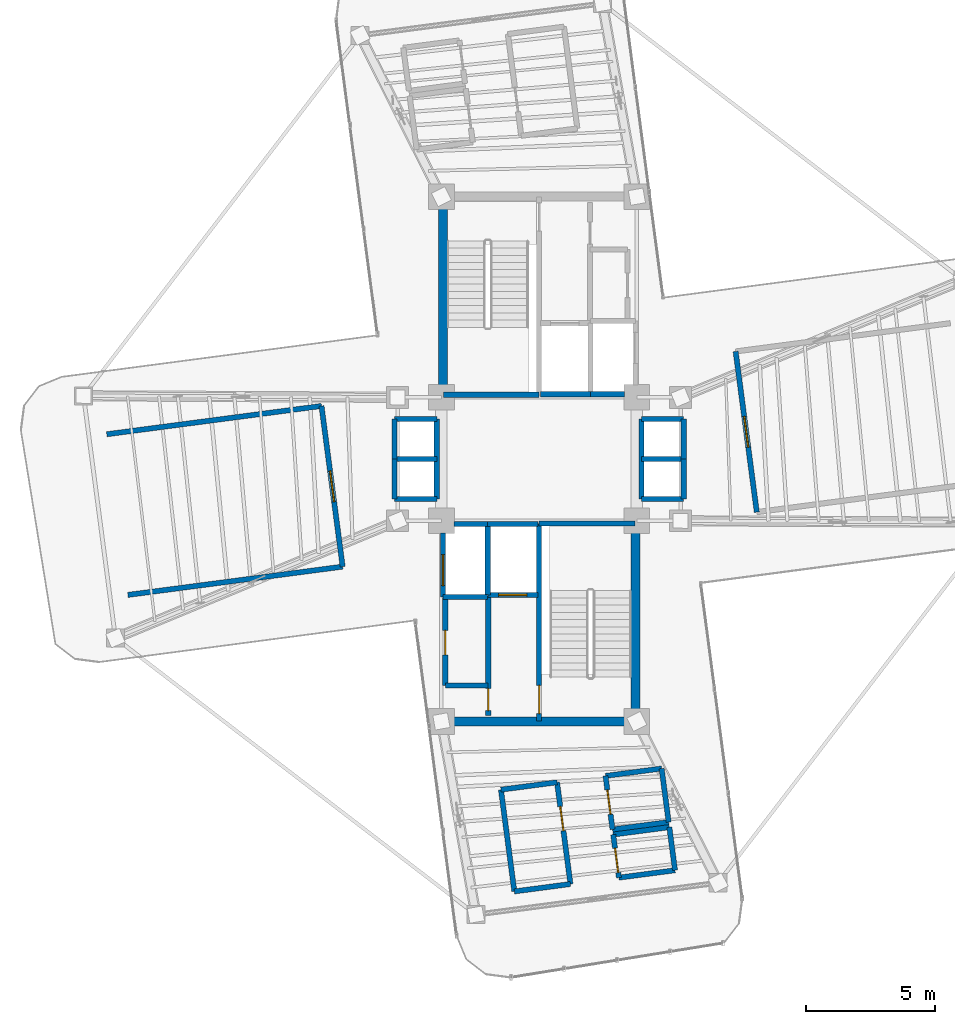
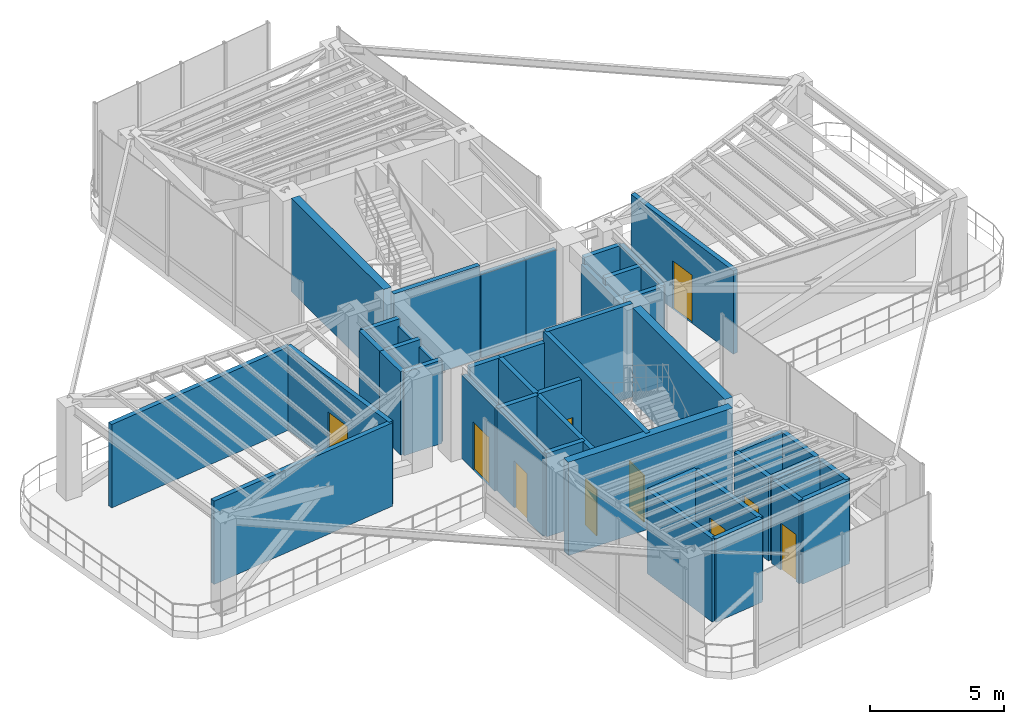
# One storey, part 14 of 17: 45 walls, 10 doors, 10 openings.
"""IFC4 building model written with IfcOpenShell, lengths in metres."""

from ifc_helpers import new_model, si_unit, direction, frame, frame_2d, origin, origin_2d, place, context, subcontext, project, spatial, rectangle, extrude, source, transform, mapped, material, layer, layer_set, type_object, element, fill, save


model = new_model("IFC4")

# Units and contexts
model_context = context("Model", 3, precision=1e-05, world=origin(), true_north=direction((0.0, 1.0)))
body_context = subcontext(model_context, "Body", "Model", "MODEL_VIEW")
ifc_project = project(units=[si_unit("LENGTHUNIT", "METRE"), si_unit("AREAUNIT", "SQUARE_METRE"), si_unit("VOLUMEUNIT", "CUBIC_METRE"), si_unit("PLANEANGLEUNIT", "RADIAN"), si_unit("MASSUNIT", "GRAM", prefix="KILO")], contexts=[model_context])

# Site, building, storey
site_placement = place(None, origin())
site = spatial("IfcSite", under=ifc_project, at=site_placement, CompositionType="ELEMENT")
building_placement = place(site_placement, origin())
building = spatial("IfcBuilding", under=site, at=building_placement, Name="Sahyath Konkavel Grand Hotel", CompositionType="ELEMENT")
storey_placement = place(building_placement, frame((0.0, 0.0, 264.60009765625)))
storey = spatial("IfcBuildingStorey", under=building, at=storey_placement, Name="L74", CompositionType="ELEMENT", Elevation=264.60009765625)

# Walls
ifc_material_1 = material(Name="Concrete C40/50", Category="concrete")
ifc_layer_1 = layer(ifc_material_1, 0.35009765625)
ifc_layer_set_1 = layer_set([ifc_layer_1], Name="Concrete C40/50")
wall_type_1 = type_object("IfcWallType", Name="CWALL-350", PredefinedType="SHEAR", material=ifc_layer_set_1)
wall_1_placement = place(storey_placement, frame((-3.739990234375, 2.85009765625, 0.0), z_axis=(0.0, 0.0, 1.0), x_axis=(0.0, 1.0, 0.0)))
element("IfcWall", 1, at=wall_1_placement, inside=storey, type_object=wall_type_1, Name="L74 North Core Shear Wall W", PredefinedType="SHEAR", context=body_context, shape_type="SweptSolid", body=[
    extrude(rectangle(XDim=6.89990234375, YDim=0.35009765625, at=frame_2d((3.449951171875, 0.0))), origin(), (0.0, 0.0, 1.0), 4.260009765625),
])
wall_2_placement = place(storey_placement, frame((-3.550048828125, -10.199951171875, 0.0), z_axis=(0.0, 0.0, 1.0), x_axis=(1.0, 0.0, 0.0)))
element("IfcWall", 2, at=wall_2_placement, inside=storey, type_object=wall_type_1, Name="L74 South Core Shear Wall S", PredefinedType="SHEAR", context=body_context, shape_type="SweptSolid", body=[
    extrude(rectangle(XDim=7.10009765625, YDim=0.35009765625, at=frame_2d((3.550048828125, 0.0))), origin(), (0.0, 0.0, 1.0), 4.260009765625),
])
wall_3_placement = place(storey_placement, frame((3.739990234375, -9.75, 0.0), z_axis=(0.0, 0.0, 1.0), x_axis=(0.0, 1.0, 0.0)))
element("IfcWall", 3, at=wall_3_placement, inside=storey, type_object=wall_type_1, Name="L74 South Core Shear Wall E", PredefinedType="SHEAR", context=body_context, shape_type="SweptSolid", body=[
    extrude(rectangle(XDim=6.89990234375, YDim=0.35009765625, at=frame_2d((3.449951171875, 0.0))), origin(), (0.0, 0.0, 1.0), 4.260009765625),
])
ifc_layer_2 = layer(ifc_material_1, 0.199951171875)
ifc_layer_set_2 = layer_set([ifc_layer_2], Name="Concrete C40/50")
wall_type_2 = type_object("IfcWallType", Name="WLL-CORE-200", PredefinedType="SOLIDWALL", material=ifc_layer_set_2)
wall_4_placement = place(storey_placement, frame((-3.719970703125, 2.5, 0.0), z_axis=(0.0, 0.0, 1.0), x_axis=(1.0, 0.0, 0.0)))
element("IfcWall", 4, at=wall_4_placement, inside=storey, type_object=wall_type_2, Name="L74 Stair ST-1 Shaft Wall S", PredefinedType="SOLIDWALL", context=body_context, shape_type="SweptSolid", body=[
    extrude(rectangle(XDim=3.719970703125, YDim=0.199951171875, at=frame_2d((1.85986328125, 0.0))), origin(), (0.0, 0.0, 1.0), 4.260009765625),
])

# Wall, opening, door
wall_5_placement = place(storey_placement, frame((0.0, -10.179931640625, 0.0), z_axis=(0.0, 0.0, 1.0), x_axis=(0.0, 1.0, 0.0)))
wall_5 = element("IfcWall", 5, at=wall_5_placement, inside=storey, type_object=wall_type_2, Name="L74 Stair ST-2 Shaft Wall W", PredefinedType="SOLIDWALL", context=body_context, shape_type="SweptSolid", body=[
    extrude(rectangle(XDim=7.679931640625, YDim=0.199951171875, at=frame_2d((3.83984375, 0.0))), origin(), (0.0, 0.0, 1.0), 4.260009765625),
])
opening_1_placement = place(wall_5_placement, frame((0.280029296875, 0.0, 0.0)))
opening_1 = element("IfcOpeningElement", 6, at=opening_1_placement, cuts=wall_5, Name="Opening D-F12B", PredefinedType="OPENING", context=body_context, shape_type="SweptSolid", body=[
    extrude(rectangle(XDim=1.10009765625, YDim=2.14990234375, at=frame_2d((0.550048828125, 1.074951171875))), frame((0.0, 0.10986328125, 0.0), z_axis=(0.0, -1.0, 0.0), x_axis=(1.0, 0.0, 0.0)), (0.0, 0.0, 1.0), 0.219970703125),
])
ifc_material_2 = material(Name="Steel E350 Smokeproof Fire Door", Category="steel")
door_type_1 = type_object("IfcDoorType", Name="DR-FD120-1100", OperationType="NOTDEFINED", PredefinedType="DOOR", material=ifc_material_2)
shared_shape_1 = source(origin(), body_context, "Body", "SweptSolid", [
    extrude(rectangle(XDim=1.10009765625, YDim=0.050048828125, at=origin_2d()), origin(), (0.0, 0.0, 1.0), 2.14990234375),
])
door_1_placement = place(opening_1_placement, frame((0.550048828125, 0.0, 0.0)))
door_1 = element("IfcDoor", 7, at=door_1_placement, inside=storey, type_object=door_type_1, Name="L74 Stair ST-2 Fire Door", OperationType="SINGLE_SWING_LEFT", OverallHeight=2.14990234375, OverallWidth=1.10009765625, PredefinedType="DOOR", context=body_context, shape_type="MappedRepresentation", body=[
    mapped(shared_shape_1, transform((0.0, 0.0, 0.0), scale=1.0)),
])
fill(opening_1, door_1)

# Wall
wall_6_placement = place(storey_placement, frame((0.0, -2.5, 0.0), z_axis=(0.0, 0.0, 1.0), x_axis=(1.0, 0.0, 0.0)))
element("IfcWall", 8, at=wall_6_placement, inside=storey, type_object=wall_type_2, Name="L74 Stair ST-2 Shaft Wall N", PredefinedType="SOLIDWALL", context=body_context, shape_type="SweptSolid", body=[
    extrude(rectangle(XDim=3.719970703125, YDim=0.199951171875, at=frame_2d((1.85986328125, 0.0))), origin(), (0.0, 0.0, 1.0), 4.260009765625),
])

# Wall, opening, door
wall_7_placement = place(storey_placement, frame((-1.97998046875, -9.97998046875, 0.0), z_axis=(0.0, 0.0, 1.0), x_axis=(0.0, 1.0, 0.0)))
wall_7 = element("IfcWall", 9, at=wall_7_placement, inside=storey, type_object=wall_type_2, Name="L74 South Firefighting Lobby Wall W", PredefinedType="SOLIDWALL", context=body_context, shape_type="SweptSolid", body=[
    extrude(rectangle(XDim=4.659912109375, YDim=0.199951171875, at=frame_2d((2.330078125, 0.0))), origin(), (0.0, 0.0, 1.0), 3.809814453125),
])
opening_2_placement = place(wall_7_placement, frame((0.199951171875, 0.0, 0.0)))
opening_2 = element("IfcOpeningElement", 10, at=opening_2_placement, cuts=wall_7, Name="Opening D-F12D", PredefinedType="OPENING", context=body_context, shape_type="SweptSolid", body=[
    extrude(rectangle(XDim=0.85009765625, YDim=2.10009765625, at=frame_2d((0.425048828125, 1.050048828125))), frame((0.0, 0.10986328125, 0.0), z_axis=(0.0, -1.0, 0.0), x_axis=(1.0, 0.0, 0.0)), (0.0, 0.0, 1.0), 0.219970703125),
])
ifc_material_3 = material(Name="Steel E350 Core Fire Door", Category="steel")
door_type_2 = type_object("IfcDoorType", Name="DR-FD120-850", OperationType="NOTDEFINED", PredefinedType="DOOR", material=ifc_material_3)
shared_shape_2 = source(origin(), body_context, "Body", "SweptSolid", [
    extrude(rectangle(XDim=0.85009765625, YDim=0.050048828125, at=origin_2d()), origin(), (0.0, 0.0, 1.0), 2.10009765625),
])
door_2_placement = place(opening_2_placement, frame((0.425048828125, 0.0, 0.0)))
door_2 = element("IfcDoor", 11, at=door_2_placement, inside=storey, type_object=door_type_2, Name="L74 South Firefighting Lobby Door", OperationType="SINGLE_SWING_LEFT", OverallHeight=2.10009765625, OverallWidth=0.85009765625, PredefinedType="DOOR", context=body_context, shape_type="MappedRepresentation", body=[
    mapped(shared_shape_2, transform((0.0, 0.0, 0.0), scale=1.0)),
])
fill(opening_2, door_2)

# Walls
wall_8_placement = place(storey_placement, frame((0.050048828125, 2.52001953125, 0.0), z_axis=(0.0, 0.0, 1.0), x_axis=(1.0, 0.0, 0.0)))
element("IfcWall", 12, at=wall_8_placement, inside=storey, type_object=wall_type_2, Name="L74 Partition SH-FFL1-S", PredefinedType="SOLIDWALL", context=body_context, shape_type="SweptSolid", body=[
    extrude(rectangle(XDim=1.949951171875, YDim=0.199951171875, at=frame_2d((0.97509765625, 0.0))), origin(), (0.0, 0.0, 1.0), 3.809814453125),
])
wall_9_placement = place(storey_placement, frame((-2.0, -5.280029296875, 0.0), z_axis=(0.0, 0.0, 1.0), x_axis=(0.0, 1.0, 0.0)))
element("IfcWall", 13, at=wall_9_placement, inside=storey, type_object=wall_type_2, Name="L74 Partition SH-FFL2-W", PredefinedType="SOLIDWALL", context=body_context, shape_type="SweptSolid", body=[
    extrude(rectangle(XDim=2.780029296875, YDim=0.199951171875, at=frame_2d((1.39013671875, 0.0))), origin(), (0.0, 0.0, 1.0), 3.809814453125),
])
wall_10_placement = place(storey_placement, frame((-2.0, -2.52001953125, 0.0), z_axis=(0.0, 0.0, 1.0), x_axis=(1.0, 0.0, 0.0)))
element("IfcWall", 14, at=wall_10_placement, inside=storey, type_object=wall_type_2, Name="L74 Partition SH-FFL2-N", PredefinedType="SOLIDWALL", context=body_context, shape_type="SweptSolid", body=[
    extrude(rectangle(XDim=1.949951171875, YDim=0.199951171875, at=frame_2d((0.97509765625, 0.0))), origin(), (0.0, 0.0, 1.0), 3.809814453125),
])

# Wall, opening, door
wall_11_placement = place(storey_placement, frame((-1.97998046875, -5.280029296875, 0.0), z_axis=(0.0, 0.0, 1.0), x_axis=(1.0, 0.0, 0.0)))
wall_11 = element("IfcWall", 15, at=wall_11_placement, inside=storey, type_object=wall_type_2, Name="L74 Partition SH-FFL2-S", PredefinedType="SOLIDWALL", context=body_context, shape_type="SweptSolid", body=[
    extrude(rectangle(XDim=1.929931640625, YDim=0.199951171875, at=frame_2d((0.96484375, 0.0))), origin(), (0.0, 0.0, 1.0), 3.809814453125),
])
opening_3_placement = place(wall_11_placement, frame((0.39990234375, 0.0, 0.0)))
opening_3 = element("IfcOpeningElement", 16, at=opening_3_placement, cuts=wall_11, Name="Opening LD-11", PredefinedType="OPENING", context=body_context, shape_type="SweptSolid", body=[
    extrude(rectangle(XDim=1.10009765625, YDim=2.199951171875, at=frame_2d((0.550048828125, 1.10009765625))), frame((0.0, 0.10986328125, 0.0), z_axis=(0.0, -1.0, 0.0), x_axis=(1.0, 0.0, 0.0)), (0.0, 0.0, 1.0), 0.219970703125),
])
ifc_material_4 = material(Name="Bronze Lift Landing Door 1100")
door_type_3 = type_object("IfcDoorType", Name="DR-LIFT-1100", OperationType="DOUBLE_DOOR_SLIDING", PredefinedType="DOOR", material=ifc_material_4)
shared_shape_3 = source(origin(), body_context, "Body", "SweptSolid", [
    extrude(rectangle(XDim=1.10009765625, YDim=0.050048828125, at=origin_2d()), origin(), (0.0, 0.0, 1.0), 2.199951171875),
])
door_3_placement = place(opening_3_placement, frame((0.550048828125, 0.0, 0.0)))
door_3 = element("IfcDoor", 17, at=door_3_placement, inside=storey, type_object=door_type_3, Name="L74 Lift FFL-2 Landing Door", OperationType="DOUBLE_DOOR_SLIDING", OverallHeight=2.199951171875, OverallWidth=1.10009765625, PredefinedType="DOOR", context=body_context, shape_type="MappedRepresentation", body=[
    mapped(shared_shape_3, transform((0.0, 0.0, 0.0), scale=1.0)),
])
fill(opening_3, door_3)

# Walls
for number, where, z_axis, x_axis, name in (
    (18, (2.0, 2.52001953125, 0.0), (0.0, 0.0, 1.0), (1.0, 0.0, 0.0), "L74 Partition SH-SVL1-S"),
    (19, (-3.320068359375, -2.52001953125, 0.0), (0.0, 0.0, 1.0), (1.0, 0.0, 0.0), "L74 Partition SH-SVL2-N"),
):
    element("IfcWall", number, at=place(storey_placement, frame(where, z_axis=z_axis, x_axis=x_axis)), inside=storey, type_object=wall_type_2, Name=name, PredefinedType="SOLIDWALL", context=body_context, shape_type="SweptSolid", body=[
        extrude(rectangle(XDim=1.320068359375, YDim=0.199951171875, at=frame_2d((0.66015625, 0.0))), origin(), (0.0, 0.0, 1.0), 3.809814453125),
    ])
wall_12_placement = place(storey_placement, frame((-3.739990234375, -5.360107421875, 0.0), z_axis=(0.0, 0.0, 1.0), x_axis=(1.0, 0.0, 0.0)))
element("IfcWall", 20, at=wall_12_placement, inside=storey, type_object=wall_type_2, Name="L74 Partition SH-SVL2-S", PredefinedType="SOLIDWALL", context=body_context, shape_type="SweptSolid", body=[
    extrude(rectangle(XDim=1.739990234375, YDim=0.199951171875, at=frame_2d((0.8701171875, 0.0))), origin(), (0.0, 0.0, 1.0), 3.809814453125),
])

# Wall, opening, door
wall_13_placement = place(storey_placement, frame((-3.739990234375, -5.360107421875, 0.0), z_axis=(0.0, 0.0, 1.0), x_axis=(0.0, 1.0, 0.0)))
wall_13 = element("IfcWall", 21, at=wall_13_placement, inside=storey, type_object=wall_type_2, Name="L74 Partition SH-SVL2-W", PredefinedType="SOLIDWALL", context=body_context, shape_type="SweptSolid", body=[
    extrude(rectangle(XDim=2.480224609375, YDim=0.199951171875, at=frame_2d((1.240234375, 0.0))), origin(), (0.0, 0.0, 1.0), 3.809814453125),
])
opening_4_placement = place(wall_13_placement, frame((0.43994140625, 0.0, 0.0)))
opening_4 = element("IfcOpeningElement", 22, at=opening_4_placement, cuts=wall_13, Name="Opening LD-12", PredefinedType="OPENING", context=body_context, shape_type="SweptSolid", body=[
    extrude(rectangle(XDim=1.199951171875, YDim=2.199951171875, at=frame_2d((0.60009765625, 1.10009765625))), frame((0.0, 0.10986328125, 0.0), z_axis=(0.0, -1.0, 0.0), x_axis=(1.0, 0.0, 0.0)), (0.0, 0.0, 1.0), 0.219970703125),
])
ifc_material_5 = material(Name="Stainless Steel Lift Landing Door 1200", Category="steel")
door_type_4 = type_object("IfcDoorType", Name="DR-LIFT-1200", OperationType="DOUBLE_DOOR_SLIDING", PredefinedType="DOOR", material=ifc_material_5)
shared_shape_4 = source(origin(), body_context, "Body", "SweptSolid", [
    extrude(rectangle(XDim=1.199951171875, YDim=0.050048828125, at=origin_2d()), origin(), (0.0, 0.0, 1.0), 2.199951171875),
])
door_4_placement = place(opening_4_placement, frame((0.60009765625, 0.0, 0.0)))
door_4 = element("IfcDoor", 23, at=door_4_placement, inside=storey, type_object=door_type_4, Name="L74 Service Lift SVL-2 Landing Door", OperationType="DOUBLE_DOOR_SLIDING", OverallHeight=2.199951171875, OverallWidth=1.199951171875, PredefinedType="DOOR", context=body_context, shape_type="MappedRepresentation", body=[
    mapped(shared_shape_4, transform((0.0, 0.0, 0.0), scale=1.0)),
])
fill(opening_4, door_4)

# Walls
wall_14_placement = place(storey_placement, frame((3.97998046875, -1.56005859375, 0.0), z_axis=(0.0, 0.0, 1.0), x_axis=(0.0, 1.0, 0.0)))
element("IfcWall", 24, at=wall_14_placement, inside=storey, type_object=wall_type_2, Name="L74 Partition SH-PL56-W", PredefinedType="SOLIDWALL", context=body_context, shape_type="SweptSolid", body=[
    extrude(rectangle(XDim=3.1201171875, YDim=0.199951171875, at=frame_2d((1.56005859375, 0.0))), origin(), (0.0, 0.0, 1.0), 3.47998046875),
])
for number, where, z_axis, x_axis, name in (
    (25, (3.97998046875, 1.56005859375, 0.0), (0.0, 0.0, 1.0), (1.0, 0.0, 0.0), "L74 Partition SH-PL56-N"),
    (26, (3.97998046875, -1.56005859375, 0.0), (0.0, 0.0, 1.0), (1.0, 0.0, 0.0), "L74 Partition SH-PL56-S"),
    (27, (3.97998046875, 0.0, 0.0), (0.0, 0.0, 1.0), (1.0, 0.0, 0.0), "L74 Partition SH-PL56-M"),
):
    element("IfcWall", number, at=place(storey_placement, frame(where, z_axis=z_axis, x_axis=x_axis)), inside=storey, type_object=wall_type_2, Name=name, PredefinedType="SOLIDWALL", context=body_context, shape_type="SweptSolid", body=[
        extrude(rectangle(XDim=1.64013671875, YDim=0.199951171875, at=frame_2d((0.820068359375, 0.0))), origin(), (0.0, 0.0, 1.0), 3.809814453125),
    ])
for number, where, z_axis, x_axis, name in (
    (28, (5.6201171875, 0.0, 0.0), (0.0, 0.0, 1.0), (0.0, 1.0, 0.0), "L74 Partition SH-PL5-E"),
    (29, (5.6201171875, -1.56005859375, 0.0), (0.0, 0.0, 1.0), (0.0, 1.0, 0.0), "L74 Partition SH-PL6-E"),
):
    element("IfcWall", number, at=place(storey_placement, frame(where, z_axis=z_axis, x_axis=x_axis)), inside=storey, type_object=wall_type_2, Name=name, PredefinedType="SOLIDWALL", context=body_context, shape_type="SweptSolid", body=[
        extrude(rectangle(XDim=1.56005859375, YDim=0.199951171875, at=frame_2d((0.780029296875, 0.0))), origin(), (0.0, 0.0, 1.0), 3.809814453125),
    ])
wall_15_placement = place(storey_placement, frame((-3.97998046875, -1.56005859375, 0.0), z_axis=(0.0, 0.0, 1.0), x_axis=(0.0, 1.0, 0.0)))
element("IfcWall", 30, at=wall_15_placement, inside=storey, type_object=wall_type_2, Name="L74 Partition SH-SL12-E", PredefinedType="SOLIDWALL", context=body_context, shape_type="SweptSolid", body=[
    extrude(rectangle(XDim=3.1201171875, YDim=0.199951171875, at=frame_2d((1.56005859375, 0.0))), origin(), (0.0, 0.0, 1.0), 3.47998046875),
])
for number, where, z_axis, x_axis, name in (
    (31, (-5.6201171875, 1.56005859375, 0.0), (0.0, 0.0, 1.0), (1.0, 0.0, 0.0), "L74 Partition SH-SL12-N"),
    (32, (-5.6201171875, -1.56005859375, 0.0), (0.0, 0.0, 1.0), (1.0, 0.0, 0.0), "L74 Partition SH-SL12-S"),
    (33, (-5.6201171875, 0.0, 0.0), (0.0, 0.0, 1.0), (1.0, 0.0, 0.0), "L74 Partition SH-SL12-M"),
):
    element("IfcWall", number, at=place(storey_placement, frame(where, z_axis=z_axis, x_axis=x_axis)), inside=storey, type_object=wall_type_2, Name=name, PredefinedType="SOLIDWALL", context=body_context, shape_type="SweptSolid", body=[
        extrude(rectangle(XDim=1.64013671875, YDim=0.199951171875, at=frame_2d((0.820068359375, 0.0))), origin(), (0.0, 0.0, 1.0), 3.809814453125),
    ])
for number, where, z_axis, x_axis, name in (
    (34, (-5.6201171875, 0.0, 0.0), (0.0, 0.0, 1.0), (0.0, 1.0, 0.0), "L74 Partition SH-SL1-W"),
    (35, (-5.6201171875, -1.56005859375, 0.0), (0.0, 0.0, 1.0), (0.0, 1.0, 0.0), "L74 Partition SH-SL2-W"),
):
    element("IfcWall", number, at=place(storey_placement, frame(where, z_axis=z_axis, x_axis=x_axis)), inside=storey, type_object=wall_type_2, Name=name, PredefinedType="SOLIDWALL", context=body_context, shape_type="SweptSolid", body=[
        extrude(rectangle(XDim=1.56005859375, YDim=0.199951171875, at=frame_2d((0.780029296875, 0.0))), origin(), (0.0, 0.0, 1.0), 3.809814453125),
    ])

# Wall, opening, door
wall_16_placement = place(storey_placement, frame((-3.64990234375, -8.81005859375, 0.0), z_axis=(0.0, 0.0, 1.0), x_axis=(0.0, 1.0, 0.0)))
wall_16 = element("IfcWall", 36, at=wall_16_placement, inside=storey, type_object=wall_type_2, Name="L74 Reclaimed South Core Wall W", PredefinedType="SOLIDWALL", context=body_context, shape_type="SweptSolid", body=[
    extrude(rectangle(XDim=3.43017578125, YDim=0.199951171875, at=frame_2d((1.715087890625, 0.0))), origin(), (0.0, 0.0, 1.0), 3.809814453125),
])
opening_5_placement = place(wall_16_placement, frame((1.199951171875, 0.0, 0.0)))
opening_5 = element("IfcOpeningElement", 37, at=opening_5_placement, cuts=wall_16, Name="Opening D-AC95", PredefinedType="OPENING", context=body_context, shape_type="SweptSolid", body=[
    extrude(rectangle(XDim=0.949951171875, YDim=2.14990234375, at=frame_2d((0.47509765625, 1.074951171875))), frame((0.0, 0.10986328125, 0.0), z_axis=(0.0, -1.0, 0.0), x_axis=(1.0, 0.0, 0.0)), (0.0, 0.0, 1.0), 0.219970703125),
])
ifc_material_6 = material(Name="Accessible Washroom Timber Door", Category="wood")
door_type_5 = type_object("IfcDoorType", Name="DR-ACC-950", OperationType="NOTDEFINED", PredefinedType="DOOR", material=ifc_material_6)
shared_shape_5 = source(origin(), body_context, "Body", "SweptSolid", [
    extrude(rectangle(XDim=0.949951171875, YDim=0.050048828125, at=origin_2d()), origin(), (0.0, 0.0, 1.0), 2.14990234375),
])
door_5_placement = place(opening_5_placement, frame((0.47509765625, 0.0, 0.0)))
door_5 = element("IfcDoor", 38, at=door_5_placement, inside=storey, type_object=door_type_5, Name="L74 Door SC-REC1-D", OperationType="SINGLE_SWING_LEFT", OverallHeight=2.14990234375, OverallWidth=0.949951171875, PredefinedType="DOOR", context=body_context, shape_type="MappedRepresentation", body=[
    mapped(shared_shape_5, transform((0.0, 0.0, 0.0), scale=1.0)),
])
fill(opening_5, door_5)

# Wall
wall_17_placement = place(storey_placement, frame((-3.64990234375, -8.81005859375, 0.0), z_axis=(0.0, 0.0, 1.0), x_axis=(1.0, 0.0, 0.0)))
element("IfcWall", 39, at=wall_17_placement, inside=storey, type_object=wall_type_2, Name="L74 Partition SC-REC-S", PredefinedType="SOLIDWALL", context=body_context, shape_type="SweptSolid", body=[
    extrude(rectangle(XDim=1.669921875, YDim=0.199951171875, at=frame_2d((0.8349609375, 0.0))), origin(), (0.0, 0.0, 1.0), 3.809814453125),
])

# Wall, opening, door
wall_18_placement = place(storey_placement, frame((8.461669921875, -2.063232421875, 0.0), z_axis=(0.0, 0.0, 1.0), x_axis=(-0.130518669044, 0.99144585179, 0.0)))
wall_18 = element("IfcWall", 40, at=wall_18_placement, inside=storey, type_object=wall_type_2, Name="L74 Partition REF-E-IN", PredefinedType="SOLIDWALL", context=body_context, shape_type="SweptSolid", body=[
    extrude(rectangle(XDim=6.300048828125, YDim=0.199951171875, at=frame_2d((3.14990234375, 0.0))), origin(), (0.0, 0.0, 1.0), 3.809814453125),
])
opening_6_placement = place(wall_18_placement, frame((2.550048828125, 0.0, 0.0)))
opening_6 = element("IfcOpeningElement", 41, at=opening_6_placement, cuts=wall_18, Name="Opening D-F12A", PredefinedType="OPENING", context=body_context, shape_type="SweptSolid", body=[
    extrude(rectangle(XDim=1.199951171875, YDim=2.199951171875, at=frame_2d((0.60009765625, 1.10009765625))), frame((0.0, 0.10986328125, 0.0), z_axis=(0.0, -1.0, 0.0), x_axis=(1.0, 0.0, 0.0)), (0.0, 0.0, 1.0), 0.219970703125),
])
ifc_material_7 = material(Name="Steel E350 Fire Door", Category="steel")
door_type_6 = type_object("IfcDoorType", Name="DR-FD120-1200", OperationType="NOTDEFINED", PredefinedType="DOOR", material=ifc_material_7)
door_6_placement = place(opening_6_placement, frame((0.60009765625, 0.0, 0.0)))
door_6 = element("IfcDoor", 42, at=door_6_placement, inside=storey, type_object=door_type_6, Name="L74 Door REF-E-D", OperationType="SINGLE_SWING_RIGHT", OverallHeight=2.199951171875, OverallWidth=1.199951171875, PredefinedType="DOOR", context=body_context, shape_type="MappedRepresentation", body=[
    mapped(shared_shape_4, transform((0.0, 0.0, 0.0), scale=1.0)),
])
fill(opening_6, door_6)

wall_19_placement = place(storey_placement, frame((-8.461669921875, 2.063232421875, 0.0), z_axis=(0.0, 0.0, 1.0), x_axis=(0.130518669044, -0.99144585179, 0.0)))
wall_19 = element("IfcWall", 43, at=wall_19_placement, inside=storey, type_object=wall_type_2, Name="L74 Partition REF-W-IN", PredefinedType="SOLIDWALL", context=body_context, shape_type="SweptSolid", body=[
    extrude(rectangle(XDim=6.300048828125, YDim=0.199951171875, at=frame_2d((3.14990234375, 0.0))), origin(), (0.0, 0.0, 1.0), 3.809814453125),
])
opening_7_placement = place(wall_19_placement, frame((2.550048828125, 0.0, 0.0)))
opening_7 = element("IfcOpeningElement", 44, at=opening_7_placement, cuts=wall_19, Name="Opening D-F12A", PredefinedType="OPENING", context=body_context, shape_type="SweptSolid", body=[
    extrude(rectangle(XDim=1.199951171875, YDim=2.199951171875, at=frame_2d((0.60009765625, 1.10009765625))), frame((0.0, 0.10986328125, 0.0), z_axis=(0.0, -1.0, 0.0), x_axis=(1.0, 0.0, 0.0)), (0.0, 0.0, 1.0), 0.219970703125),
])
door_7_placement = place(opening_7_placement, frame((0.60009765625, 0.0, 0.0)))
door_7 = element("IfcDoor", 45, at=door_7_placement, inside=storey, type_object=door_type_6, Name="L74 Door REF-W-D", OperationType="SINGLE_SWING_LEFT", OverallHeight=2.199951171875, OverallWidth=1.199951171875, PredefinedType="DOOR", context=body_context, shape_type="MappedRepresentation", body=[
    mapped(shared_shape_4, transform((0.0, 0.0, 0.0), scale=1.0)),
])
fill(opening_7, door_7)

# Walls
wall_20_placement = place(storey_placement, frame((-7.639404296875, -4.182861328125, 0.0), z_axis=(0.0, 0.0, 1.0), x_axis=(-0.991443337312, -0.130537768098, 0.0)))
element("IfcWall", 46, at=wall_20_placement, inside=storey, type_object=wall_type_2, Name="L74 Partition REF-W-N", PredefinedType="SOLIDWALL", context=body_context, shape_type="SweptSolid", body=[
    extrude(rectangle(XDim=8.419921875, YDim=0.199951171875, at=frame_2d((4.2099609375, 0.0))), origin(), (0.0, 0.0, 1.0), 3.809814453125),
])
wall_21_placement = place(storey_placement, frame((-8.461669921875, 2.063232421875, 0.0), z_axis=(0.0, 0.0, 1.0), x_axis=(-0.991443831377, -0.130534015583, 0.0)))
element("IfcWall", 47, at=wall_21_placement, inside=storey, type_object=wall_type_2, Name="L74 Partition REF-W-S", PredefinedType="SOLIDWALL", context=body_context, shape_type="SweptSolid", body=[
    extrude(rectangle(XDim=8.420166015625, YDim=0.199951171875, at=frame_2d((4.2099609375, 0.0))), origin(), (0.0, 0.0, 1.0), 3.809814453125),
])

# Wall, opening, door
wall_22_placement = place(storey_placement, frame((2.580078125, -12.318603515625, 0.0), z_axis=(0.0, 0.0, 1.0), x_axis=(0.13044248305, -0.9914558783, 0.0)))
wall_22 = element("IfcWall", 48, at=wall_22_placement, inside=storey, type_object=wall_type_2, Name="L74 Partition PL-CHL-C", PredefinedType="SOLIDWALL", context=body_context, shape_type="SweptSolid", body=[
    extrude(rectangle(XDim=2.099853515625, YDim=0.199951171875, at=frame_2d((1.0498046875, 0.0))), origin(), (0.0, 0.0, 1.0), 3.809814453125),
])
opening_8_placement = place(wall_22_placement, frame((0.550048828125, 0.0, 0.0)))
opening_8 = element("IfcOpeningElement", 49, at=opening_8_placement, cuts=wall_22, Name="Opening D-F12C", PredefinedType="OPENING", context=body_context, shape_type="SweptSolid", body=[
    extrude(rectangle(XDim=0.949951171875, YDim=2.14990234375, at=frame_2d((0.47509765625, 1.074951171875))), frame((0.0, 0.10986328125, 0.0), z_axis=(0.0, -1.0, 0.0), x_axis=(1.0, 0.0, 0.0)), (0.0, 0.0, 1.0), 0.219970703125),
])
ifc_material_8 = material(Name="Steel E350 Plant Fire Door", Category="steel")
door_type_7 = type_object("IfcDoorType", Name="DR-FD120-950", OperationType="NOTDEFINED", PredefinedType="DOOR", material=ifc_material_8)
door_8_placement = place(opening_8_placement, frame((0.47509765625, 0.0, 0.0)))
door_8 = element("IfcDoor", 50, at=door_8_placement, inside=storey, type_object=door_type_7, Name="L74 Door PL-CHL-D", OperationType="SINGLE_SWING_RIGHT", OverallHeight=2.14990234375, OverallWidth=0.949951171875, PredefinedType="DOOR", context=body_context, shape_type="MappedRepresentation", body=[
    mapped(shared_shape_5, transform((0.0, 0.0, 0.0), scale=1.0)),
])
fill(opening_8, door_8)

# Walls
wall_23_placement = place(storey_placement, frame((4.76123046875, -12.031494140625, 0.0), z_axis=(0.0, 0.0, 1.0), x_axis=(0.130556761174, -0.991440836415, 0.0)))
element("IfcWall", 51, at=wall_23_placement, inside=storey, type_object=wall_type_2, Name="L74 Partition PL-CHL-O", PredefinedType="SOLIDWALL", context=body_context, shape_type="SweptSolid", body=[
    extrude(rectangle(XDim=2.10009765625, YDim=0.199951171875, at=frame_2d((1.050048828125, 0.0))), origin(), (0.0, 0.0, 1.0), 3.809814453125),
])
wall_24_placement = place(storey_placement, frame((2.580078125, -12.318603515625, 0.0), z_axis=(0.0, 0.0, 1.0), x_axis=(0.991447495205, 0.130506184728, 0.0)))
element("IfcWall", 52, at=wall_24_placement, inside=storey, type_object=wall_type_2, Name="L74 Partition PL-CHL-A", PredefinedType="SOLIDWALL", context=body_context, shape_type="SweptSolid", body=[
    extrude(rectangle(XDim=2.199951171875, YDim=0.199951171875, at=frame_2d((1.10009765625, 0.0))), origin(), (0.0, 0.0, 1.0), 3.809814453125),
])
wall_25_placement = place(storey_placement, frame((2.85400390625, -14.400634765625, 0.0), z_axis=(0.0, 0.0, 1.0), x_axis=(0.991449384998, 0.130491827281, 0.0)))
element("IfcWall", 53, at=wall_25_placement, inside=storey, type_object=wall_type_2, Name="L74 Partition PL-CHL-B", PredefinedType="SOLIDWALL", context=body_context, shape_type="SweptSolid", body=[
    extrude(rectangle(XDim=2.2001953125, YDim=0.199951171875, at=frame_2d((1.10009765625, 0.0))), origin(), (0.0, 0.0, 1.0), 3.809814453125),
])

# Wall, opening, door
wall_26_placement = place(storey_placement, frame((2.880126953125, -14.59912109375, 0.0), z_axis=(0.0, 0.0, 1.0), x_axis=(0.130611483598, -0.991433628819, 0.0)))
wall_26 = element("IfcWall", 54, at=wall_26_placement, inside=storey, type_object=wall_type_2, Name="L74 Partition PL-ELC-C", PredefinedType="SOLIDWALL", context=body_context, shape_type="SweptSolid", body=[
    extrude(rectangle(XDim=1.689697265625, YDim=0.199951171875, at=frame_2d((0.8447265625, 0.0))), origin(), (0.0, 0.0, 1.0), 3.809814453125),
])
opening_9_placement = place(wall_26_placement, frame((0.5400390625, 0.0, 0.0)))
opening_9 = element("IfcOpeningElement", 55, at=opening_9_placement, cuts=wall_26, Name="Opening D-F12C", PredefinedType="OPENING", context=body_context, shape_type="SweptSolid", body=[
    extrude(rectangle(XDim=0.949951171875, YDim=2.14990234375, at=frame_2d((0.47509765625, 1.074951171875))), frame((0.0, 0.10986328125, 0.0), z_axis=(0.0, -1.0, 0.0), x_axis=(1.0, 0.0, 0.0)), (0.0, 0.0, 1.0), 0.219970703125),
])
door_9_placement = place(opening_9_placement, frame((0.47509765625, 0.0, 0.0)))
door_9 = element("IfcDoor", 56, at=door_9_placement, inside=storey, type_object=door_type_7, Name="L74 Door PL-ELC-D", OperationType="SINGLE_SWING_LEFT", OverallHeight=2.14990234375, OverallWidth=0.949951171875, PredefinedType="DOOR", context=body_context, shape_type="MappedRepresentation", body=[
    mapped(shared_shape_5, transform((0.0, 0.0, 0.0), scale=1.0)),
])
fill(opening_9, door_9)

# Walls
wall_27_placement = place(storey_placement, frame((5.061279296875, -14.311767578125, 0.0), z_axis=(0.0, 0.0, 1.0), x_axis=(0.130592776937, -0.991436093055, 0.0)))
element("IfcWall", 57, at=wall_27_placement, inside=storey, type_object=wall_type_2, Name="L74 Partition PL-ELC-O", PredefinedType="SOLIDWALL", context=body_context, shape_type="SweptSolid", body=[
    extrude(rectangle(XDim=1.68994140625, YDim=0.199951171875, at=frame_2d((0.844970703125, 0.0))), origin(), (0.0, 0.0, 1.0), 3.809814453125),
])
for number, where, z_axis, x_axis, name in (
    (58, (2.880126953125, -14.59912109375, 0.0), (0.0, 0.0, 1.0), (0.991433130399, 0.130615266899, 0.0), "L74 Partition PL-ELC-A"),
    (59, (3.100830078125, -16.2744140625, 0.0), (0.0, 0.0, 1.0), (0.991447495205, 0.130506184728, 0.0), "L74 Partition PL-ELC-B"),
):
    element("IfcWall", number, at=place(storey_placement, frame(where, z_axis=z_axis, x_axis=x_axis)), inside=storey, type_object=wall_type_2, Name=name, PredefinedType="SOLIDWALL", context=body_context, shape_type="SweptSolid", body=[
        extrude(rectangle(XDim=2.199951171875, YDim=0.199951171875, at=frame_2d((1.10009765625, 0.0))), origin(), (0.0, 0.0, 1.0), 3.809814453125),
    ])

# Wall, opening, door
wall_28_placement = place(storey_placement, frame((0.6962890625, -12.566650390625, 0.0), z_axis=(0.0, 0.0, 1.0), x_axis=(0.130516242864, -0.991446171181, 0.0)))
wall_28 = element("IfcWall", 60, at=wall_28_placement, inside=storey, type_object=wall_type_2, Name="L74 Partition PL-BMS-C", PredefinedType="SOLIDWALL", context=body_context, shape_type="SweptSolid", body=[
    extrude(rectangle(XDim=3.989990234375, YDim=0.199951171875, at=frame_2d((1.9951171875, 0.0))), origin(), (0.0, 0.0, 1.0), 3.809814453125),
])
opening_10_placement = place(wall_28_placement, frame((0.949951171875, 0.0, 0.0)))
opening_10 = element("IfcOpeningElement", 61, at=opening_10_placement, cuts=wall_28, Name="Opening D-F12C", PredefinedType="OPENING", context=body_context, shape_type="SweptSolid", body=[
    extrude(rectangle(XDim=0.949951171875, YDim=2.14990234375, at=frame_2d((0.47509765625, 1.074951171875))), frame((0.0, 0.10986328125, 0.0), z_axis=(0.0, -1.0, 0.0), x_axis=(1.0, 0.0, 0.0)), (0.0, 0.0, 1.0), 0.219970703125),
])
door_10_placement = place(opening_10_placement, frame((0.47509765625, 0.0, 0.0)))
door_10 = element("IfcDoor", 62, at=door_10_placement, inside=storey, type_object=door_type_7, Name="L74 Door PL-BMS-D", OperationType="SINGLE_SWING_LEFT", OverallHeight=2.14990234375, OverallWidth=0.949951171875, PredefinedType="DOOR", context=body_context, shape_type="MappedRepresentation", body=[
    mapped(shared_shape_5, transform((0.0, 0.0, 0.0), scale=1.0)),
])
fill(opening_10, door_10)

# Walls
wall_29_placement = place(storey_placement, frame((-1.48486328125, -12.853759765625, 0.0), z_axis=(0.0, 0.0, 1.0), x_axis=(0.130508325488, -0.99144721341, 0.0)))
element("IfcWall", 63, at=wall_29_placement, inside=storey, type_object=wall_type_2, Name="L74 Partition PL-BMS-O", PredefinedType="SOLIDWALL", context=body_context, shape_type="SweptSolid", body=[
    extrude(rectangle(XDim=3.990234375, YDim=0.199951171875, at=frame_2d((1.9951171875, 0.0))), origin(), (0.0, 0.0, 1.0), 3.809814453125),
])
for number, where, z_axis, x_axis, name in (
    (64, (-1.48486328125, -12.853759765625, 0.0), (0.0, 0.0, 1.0), (0.991447495205, 0.130506184728, 0.0), "L74 Partition PL-BMS-A"),
    (65, (-0.964111328125, -16.809814453125, 0.0), (0.0, 0.0, 1.0), (0.991433130399, 0.130615266899, 0.0), "L74 Partition PL-BMS-B"),
):
    element("IfcWall", number, at=place(storey_placement, frame(where, z_axis=z_axis, x_axis=x_axis)), inside=storey, type_object=wall_type_2, Name=name, PredefinedType="SOLIDWALL", context=body_context, shape_type="SweptSolid", body=[
        extrude(rectangle(XDim=2.199951171875, YDim=0.199951171875, at=frame_2d((1.10009765625, 0.0))), origin(), (0.0, 0.0, 1.0), 3.809814453125),
    ])

save(model, "model.ifc")
